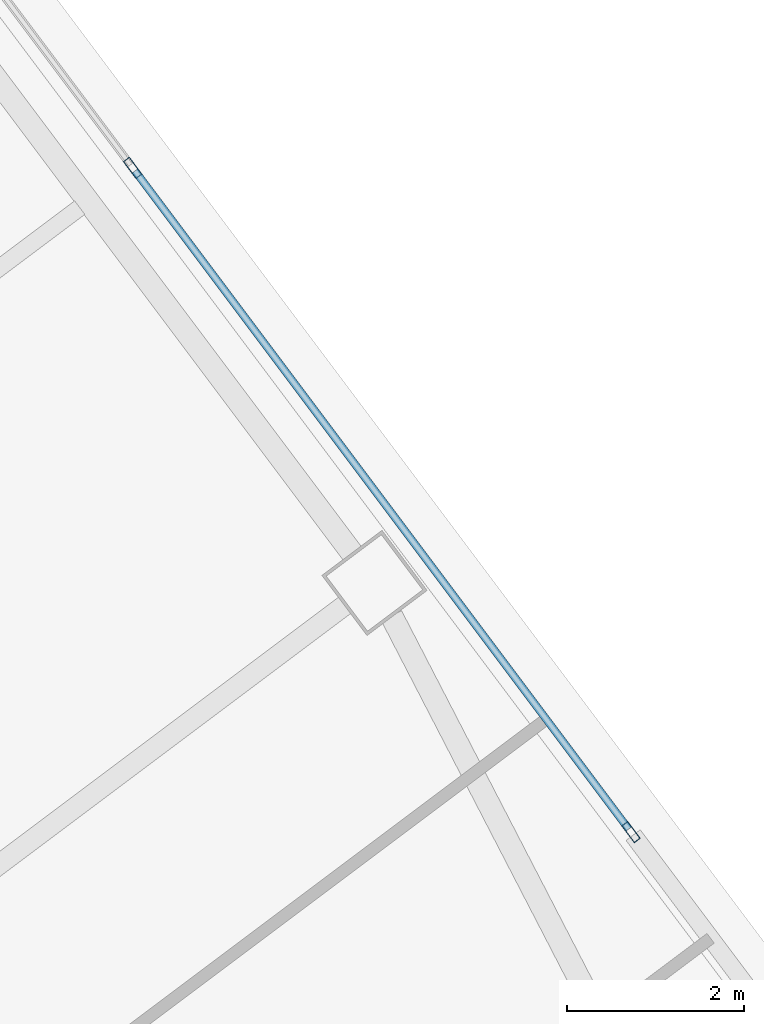
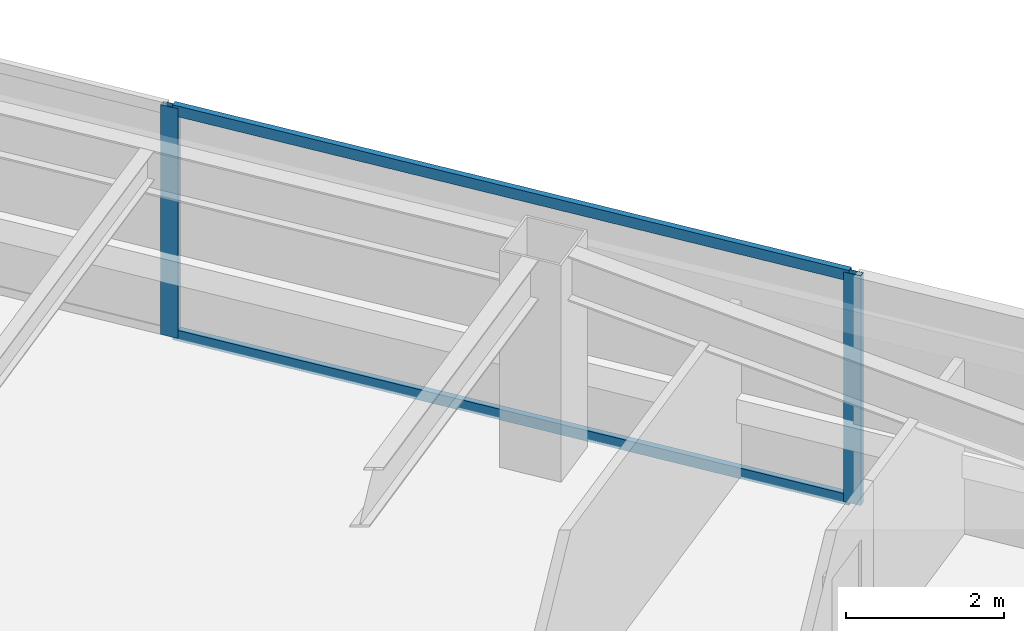
# One storey, part 35 of 51: 4 members, 1 element without a shape of its own.
"""IFC4 building model written with IfcOpenShell, lengths in metres."""

from ifc_helpers import new_model, si_unit, direction, frame, origin, origin_2d, place, context, subcontext, project, spatial, hollow_rectangle, extrude, material, material_profile, profile_set, type_object, element, aggregate, save


model = new_model("IFC4")

# Units and contexts
model_context = context("Model", 3, precision=1e-05, world=origin(), true_north=direction((0.0, 1.0)))
body_context = subcontext(model_context, "Body", "Model", "MODEL_VIEW")
ifc_project = project(units=[si_unit("LENGTHUNIT", "METRE"), si_unit("AREAUNIT", "SQUARE_METRE"), si_unit("VOLUMEUNIT", "CUBIC_METRE"), si_unit("PLANEANGLEUNIT", "RADIAN"), si_unit("MASSUNIT", "GRAM", prefix="KILO")], contexts=[model_context])

# Site, building, storey
site_placement = place(None, origin())
site = spatial("IfcSite", under=ifc_project, at=site_placement, CompositionType="ELEMENT")
building_placement = place(site_placement, origin())
building = spatial("IfcBuilding", under=site, at=building_placement, Name="Tashvorn Skyway Center", CompositionType="ELEMENT")
storey_placement = place(building_placement, frame((0.0, 0.0, 49.449951171875)))
storey = spatial("IfcBuildingStorey", under=building, at=storey_placement, Name="L12", CompositionType="ELEMENT", Elevation=49.449951171875)

# Curtain wall, members
ifc_material = material(Name="Thermally broken bronze-anodized aluminium 6063-T6", Category="aluminium")
curtain_wall_type = type_object("IfcCurtainWallType", Name="CW-CW-Z1", PredefinedType="NOTDEFINED", material=ifc_material)
curtain_wall_placement = place(storey_placement, origin())
curtain_wall = element("IfcCurtainWall", 1, at=curtain_wall_placement, inside=storey, type_object=curtain_wall_type, Name="Tower 2 L12 East Unitised Curtain Wall Glazing Group 2", PredefinedType="NOTDEFINED")
ifc_material_profile_1 = material_profile(ifc_material, hollow_rectangle(XDim=0.0849609375, YDim=0.239990234375, WallThickness=0.0048828125, at=origin_2d()), Name="ALU-MULL-85x240")
ifc_profile_set_1 = profile_set([ifc_material_profile_1], Name="Thermally broken bronze-anodized aluminium 6063-T6")
member_type_1 = type_object("IfcMemberType", Name="CWM-CW-Z1", PredefinedType="MULLION", material=ifc_profile_set_1)
member_1_placement = place(storey_placement, frame((131.343994140625, 45.008056640625, 0.0), z_axis=(0.0, 0.0, 1.0), x_axis=(0.799999999998, 0.600000000002, 0.0)))
member_1 = element("IfcMember", 2, at=member_1_placement, type_object=member_type_1, Name="CW-Z1 mullion 2", PredefinedType="MULLION", context=body_context, shape_type="SweptSolid", body=[
    extrude(hollow_rectangle(XDim=0.0849609375, YDim=0.239990234375, WallThickness=0.0048828125, at=origin_2d()), origin(), (0.0, 0.0, 1.0), 3.550048828125),
])
member_2_placement = place(storey_placement, frame((136.982421875, 37.489990234375, 0.0), z_axis=(0.0, 0.0, 1.0), x_axis=(0.799999999998, 0.600000000002, 0.0)))
member_2 = element("IfcMember", 3, at=member_2_placement, type_object=member_type_1, Name="CW-Z1 mullion 3", PredefinedType="MULLION", context=body_context, shape_type="SweptSolid", body=[
    extrude(hollow_rectangle(XDim=0.0849609375, YDim=0.239990234375, WallThickness=0.0048828125, at=origin_2d()), origin(), (0.0, 0.0, 1.0), 3.550048828125),
])
ifc_material_profile_2 = material_profile(ifc_material, hollow_rectangle(XDim=0.0849609375, YDim=0.1650390625, WallThickness=0.0048828125, at=origin_2d()), Name="ALU-TRAN-85x165")
ifc_profile_set_2 = profile_set([ifc_material_profile_2], Name="Thermally broken bronze-anodized aluminium 6063-T6")
member_type_2 = type_object("IfcMemberType", Name="CWT-CW-Z1", PredefinedType="USERDEFINED", material=ifc_profile_set_2)
member_3_placement = place(storey_placement, frame((131.369384765625, 44.97412109375, 0.04248046875), z_axis=(0.6, -0.8, 0.0), x_axis=(0.8, 0.6, 0.0)))
member_3 = element("IfcMember", 4, at=member_3_placement, type_object=member_type_2, Name="CW-Z1 transom 2.1", ObjectType="TRANSOM", PredefinedType="USERDEFINED", context=body_context, shape_type="SweptSolid", body=[
    extrude(hollow_rectangle(XDim=0.0849609375, YDim=0.1650390625, WallThickness=0.0048828125, at=origin_2d()), origin(), (0.0, 0.0, 1.0), 9.312744140625),
])
member_4_placement = place(storey_placement, frame((131.369384765625, 44.97412109375, 3.507568359375), z_axis=(0.6, -0.8, 0.0), x_axis=(0.8, 0.6, 0.0)))
member_4 = element("IfcMember", 5, at=member_4_placement, type_object=member_type_2, Name="CW-Z1 transom 2.2", ObjectType="TRANSOM", PredefinedType="USERDEFINED", context=body_context, shape_type="SweptSolid", body=[
    extrude(hollow_rectangle(XDim=0.0849609375, YDim=0.1650390625, WallThickness=0.0048828125, at=origin_2d()), origin(), (0.0, 0.0, 1.0), 9.312744140625),
])
aggregate(curtain_wall, [member_1, member_2, member_3, member_4])

save(model, "model.ifc")
